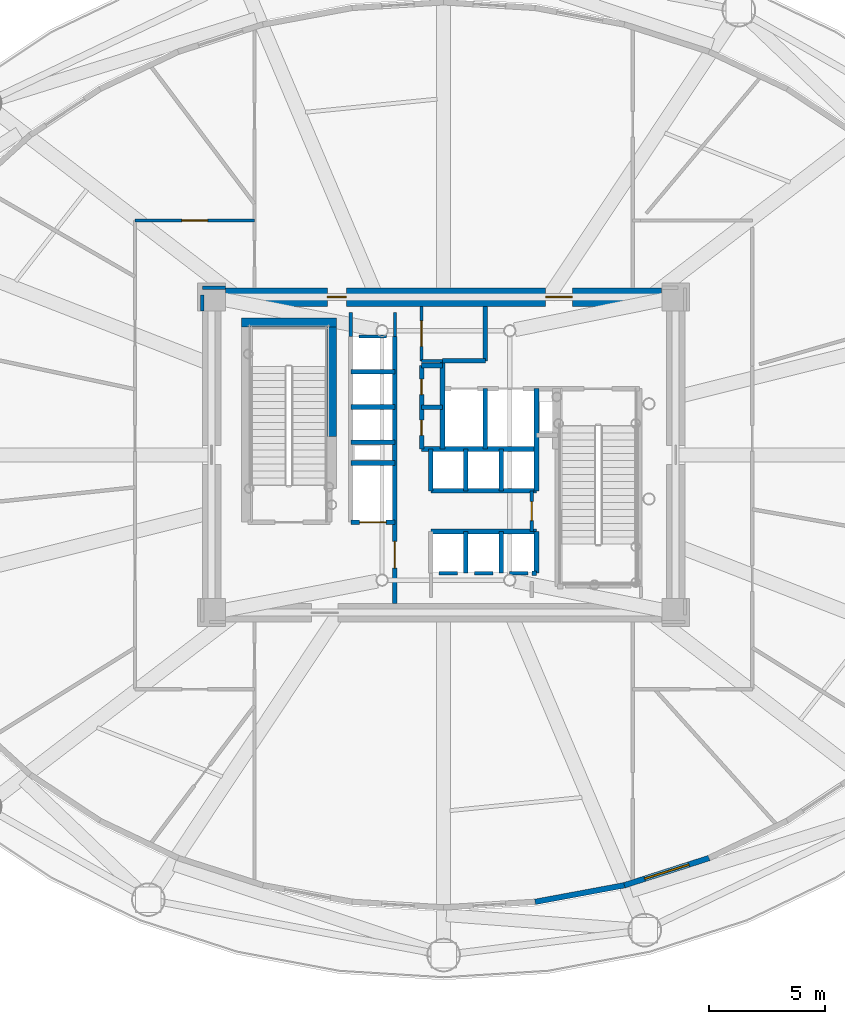
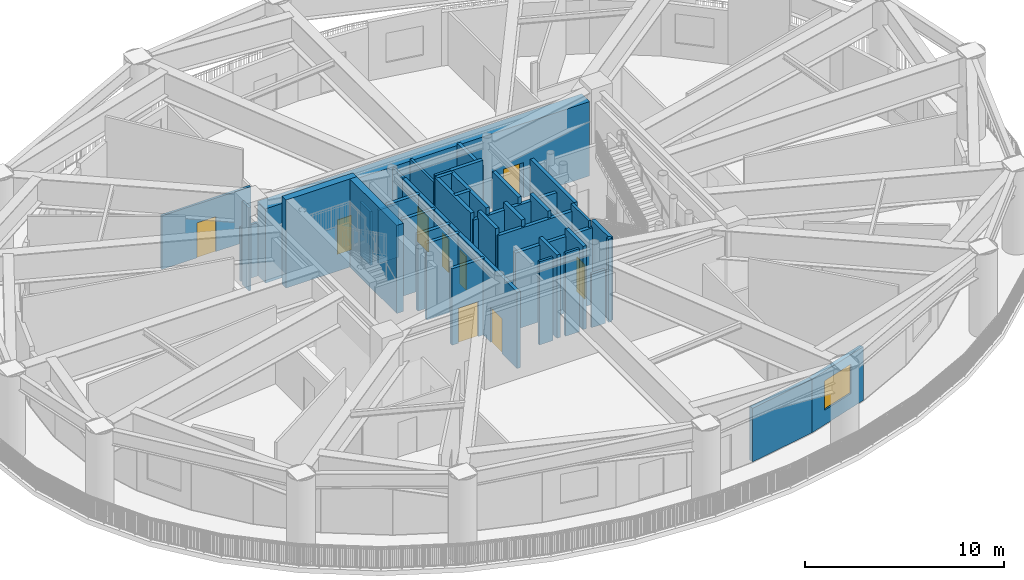
# One storey, part 6 of 15: 41 walls, 9 doors, 1 window, 10 openings.
"""IFC4 building model written with IfcOpenShell, lengths in metres."""

from ifc_helpers import new_model, si_unit, direction, frame, frame_2d, origin, origin_2d, place, context, subcontext, project, spatial, rectangle, extrude, source, transform, mapped, material, layer, layer_set, type_object, element, fill, save


model = new_model("IFC4")

# Units and contexts
model_context = context("Model", 3, precision=1e-05, world=origin(), true_north=direction((0.0, 1.0)))
body_context = subcontext(model_context, "Body", "Model", "MODEL_VIEW")
ifc_project = project(units=[si_unit("LENGTHUNIT", "METRE"), si_unit("AREAUNIT", "SQUARE_METRE"), si_unit("VOLUMEUNIT", "CUBIC_METRE"), si_unit("PLANEANGLEUNIT", "RADIAN"), si_unit("MASSUNIT", "GRAM", prefix="KILO")], contexts=[model_context])

# Site, building, storey
site_placement = place(None, origin())
site = spatial("IfcSite", under=ifc_project, at=site_placement, CompositionType="ELEMENT")
building_placement = place(site_placement, origin())
building = spatial("IfcBuilding", under=site, at=building_placement, Name="Linh Dai School and Residence Tower", CompositionType="ELEMENT")
storey_placement = place(building_placement, frame((0.0, 0.0, 145.949951171875)))
storey = spatial("IfcBuildingStorey", under=building, at=storey_placement, Name="L35", CompositionType="ELEMENT", Elevation=145.949951171875)

# Wall
ifc_material_1 = material(Name="Precast Concrete B45 (C35/45)", Category="concrete")
ifc_layer_1 = layer(ifc_material_1, 0.239990234375)
ifc_layer_set_1 = layer_set([ifc_layer_1], Name="Precast Concrete B45 (C35/45)")
wall_type_1 = type_object("IfcWallType", Name="EW-TC-240", PredefinedType="SOLIDWALL", material=ifc_layer_set_1)
wall_1_placement = place(storey_placement, frame((43.78759765625, 8.451904296875, 0.0), z_axis=(0.0, 0.0, 1.0), x_axis=(-0.983096880392, -0.183086110241, 0.0)))
element("IfcWall", 1, at=wall_1_placement, inside=storey, type_object=wall_type_1, Name="L35 Terracotta Exterior Wall 32", PredefinedType="SOLIDWALL", context=body_context, shape_type="SweptSolid", body=[
    extrude(rectangle(XDim=3.9111328125, YDim=0.239990234375, at=frame_2d((1.95556640625, 0.0))), origin(), (0.0, 0.0, 1.0), 3.28515625),
])

# Wall, opening, window
wall_2_placement = place(storey_placement, frame((47.43994140625, 9.625732421875, 0.0), z_axis=(0.0, 0.0, 1.0), x_axis=(-0.95203915495, -0.305976220388, 0.0)))
wall_2 = element("IfcWall", 2, at=wall_2_placement, inside=storey, type_object=wall_type_1, Name="L35 Terracotta Exterior Wall 33", PredefinedType="SOLIDWALL", context=body_context, shape_type="SweptSolid", body=[
    extrude(rectangle(XDim=3.83642578125, YDim=0.239990234375, at=frame_2d((1.918212890625, 0.0))), origin(), (0.0, 0.0, 1.0), 3.28515625),
])
opening_1_placement = place(wall_2_placement, frame((0.918212890625, 0.0, 0.89990234375)))
opening_1 = element("IfcOpeningElement", 3, at=opening_1_placement, cuts=wall_2, Name="Opening W5", PredefinedType="OPENING", context=body_context, shape_type="SweptSolid", body=[
    extrude(rectangle(XDim=2.0, YDim=1.800048828125, at=origin_2d()), frame((1.0, 0.1298828125, 0.89990234375), z_axis=(0.0, -1.0, 0.0), x_axis=(1.0, 0.0, 0.0)), (0.0, 0.0, 1.0), 0.260009765625),
])
ifc_material_2 = material(Name="Anodised Aluminium Weather Louvre", Category="aluminium")
window_type = type_object("IfcWindowType", Name="WN-LV-2000x1800", PartitioningType="SINGLE_PANEL", PredefinedType="USERDEFINED", material=ifc_material_2)
shared_shape_1 = source(origin(), body_context, "Body", "SweptSolid", [
    extrude(rectangle(XDim=2.0, YDim=1.800048828125, at=origin_2d()), frame((1.0, 0.030029296875, 0.89990234375), z_axis=(0.0, -1.0, 0.0), x_axis=(1.0, 0.0, 0.0)), (0.0, 0.0, 1.0), 0.06005859375),
])
window_placement = place(opening_1_placement, origin())
window = element("IfcWindow", 4, at=window_placement, inside=storey, type_object=window_type, Name="L35 Plant Weather Louvre 33", ObjectType="LOUVRE VENT", OverallHeight=1.800048828125, OverallWidth=2.0, PartitioningType="SINGLE_PANEL", PredefinedType="USERDEFINED", context=body_context, shape_type="MappedRepresentation", body=[
    mapped(shared_shape_1, transform((0.0, 0.0, 0.0), x_axis=(1.0, 0.0, 0.0), y_axis=(0.0, 1.0, 0.0), z_axis=(0.0, 0.0, 1.0), scale=1.0)),
])
fill(opening_1, window)

# Wall, opening, door
ifc_material_3 = material(Name="Autoclaved Aerated Concrete Blockwork", Category="masonry")
ifc_layer_2 = layer(ifc_material_3, 0.135009765625)
ifc_layer_set_2 = layer_set([ifc_layer_2], Name="Autoclaved Aerated Concrete Blockwork")
wall_type_2 = type_object("IfcWallType", Name="IW-CORR-135-EI90", PredefinedType="PARTITIONING", material=ifc_layer_set_2)
wall_3_placement = place(storey_placement, frame((22.699951171875, 37.10009765625, 0.0), z_axis=(0.0, 0.0, 1.0), x_axis=(1.0, 0.0, 0.0)))
wall_3 = element("IfcWall", 5, at=wall_3_placement, inside=storey, type_object=wall_type_2, Name="L35 Interior Partition Wall 007", PredefinedType="PARTITIONING", context=body_context, shape_type="SweptSolid", body=[
    extrude(rectangle(XDim=5.150146484375, YDim=0.135009765625, at=frame_2d((2.5751953125, 0.0))), origin(), (0.0, 0.0, 1.0), 3.28515625),
])
opening_2_placement = place(wall_3_placement, frame((2.02490234375, 0.0, 0.0)))
opening_2 = element("IfcOpeningElement", 6, at=opening_2_placement, cuts=wall_3, Name="Opening D07", PredefinedType="OPENING", context=body_context, shape_type="SweptSolid", body=[
    extrude(rectangle(XDim=1.10009765625, YDim=2.14990234375, at=origin_2d()), frame((0.550048828125, 0.07763671875, 1.074951171875), z_axis=(0.0, -1.0, 0.0), x_axis=(1.0, 0.0, 0.0)), (0.0, 0.0, 1.0), 0.155029296875),
])
ifc_material_4 = material(Name="Fire-Rated Louvred Steel Plant Door", Category="steel")
door_type_1 = type_object("IfcDoorType", Name="DR-PLT-1100x2150-FD60S", OperationType="NOTDEFINED", PredefinedType="DOOR", material=ifc_material_4)
shared_shape_2 = source(origin(), body_context, "Body", "SweptSolid", [
    extrude(rectangle(XDim=1.10009765625, YDim=2.14990234375, at=origin_2d()), frame((0.550048828125, 0.02490234375, 1.074951171875), z_axis=(0.0, -1.0, 0.0), x_axis=(1.0, 0.0, 0.0)), (0.0, 0.0, 1.0), 0.050048828125),
])
door_1_placement = place(opening_2_placement, origin())
door_1 = element("IfcDoor", 7, at=door_1_placement, inside=storey, type_object=door_type_1, Name="L35 Zone LV Switchboard Plant Room Door", OperationType="SINGLE_SWING_LEFT", OverallHeight=2.14990234375, OverallWidth=1.10009765625, PredefinedType="DOOR", context=body_context, shape_type="MappedRepresentation", body=[
    mapped(shared_shape_2, transform((0.0, 0.0, 0.0), x_axis=(1.0, 0.0, 0.0), y_axis=(0.0, 1.0, 0.0), z_axis=(0.0, 0.0, 1.0), scale=1.0)),
])
fill(opening_2, door_1)

wall_4_placement = place(storey_placement, frame((35.050048828125, 31.050048828125, 0.0), z_axis=(0.0, 0.0, 1.0), x_axis=(0.0, 1.0, 0.0)))
wall_4 = element("IfcWall", 8, at=wall_4_placement, inside=storey, type_object=wall_type_2, Name="L35 Interior Partition Wall 025", PredefinedType="PARTITIONING", context=body_context, shape_type="SweptSolid", body=[
    extrude(rectangle(XDim=2.349853515625, YDim=0.135009765625, at=frame_2d((1.1748046875, 0.0))), origin(), (0.0, 0.0, 1.0), 4.68505859375),
])
opening_3_placement = place(wall_4_placement, frame((0.625, 0.0, 0.0)))
opening_3 = element("IfcOpeningElement", 9, at=opening_3_placement, cuts=wall_4, Name="Opening D07", PredefinedType="OPENING", context=body_context, shape_type="SweptSolid", body=[
    extrude(rectangle(XDim=1.10009765625, YDim=2.14990234375, at=origin_2d()), frame((0.550048828125, 0.07763671875, 1.074951171875), z_axis=(0.0, -1.0, 0.0), x_axis=(1.0, 0.0, 0.0)), (0.0, 0.0, 1.0), 0.155029296875),
])
door_2_placement = place(opening_3_placement, origin())
door_2 = element("IfcDoor", 10, at=door_2_placement, inside=storey, type_object=door_type_1, Name="L35 North BMS Switchroom Door", OperationType="SINGLE_SWING_LEFT", OverallHeight=2.14990234375, OverallWidth=1.10009765625, PredefinedType="DOOR", context=body_context, shape_type="MappedRepresentation", body=[
    mapped(shared_shape_2, transform((0.0, 0.0, 0.0), x_axis=(1.0, 0.0, 0.0), y_axis=(0.0, 1.0, 0.0), z_axis=(0.0, 0.0, 1.0), scale=1.0)),
])
fill(opening_3, door_2)

# Wall
wall_5_placement = place(storey_placement, frame((35.050048828125, 31.050048828125, 0.0), z_axis=(0.0, 0.0, 1.0), x_axis=(1.0, 0.0, 0.0)))
element("IfcWall", 11, at=wall_5_placement, inside=storey, type_object=wall_type_2, Name="L35 Interior Partition Wall 026", PredefinedType="PARTITIONING", context=body_context, shape_type="SweptSolid", body=[
    extrude(rectangle(XDim=0.89990234375, YDim=0.135009765625, at=frame_2d((0.449951171875, 0.0))), origin(), (0.0, 0.0, 1.0), 5.10009765625),
])

# Wall, opening, door
wall_6_placement = place(storey_placement, frame((39.800048828125, 23.699951171875, 0.0), z_axis=(0.0, 0.0, 1.0), x_axis=(0.0, 1.0, 0.0)))
wall_6 = element("IfcWall", 12, at=wall_6_placement, inside=storey, type_object=wall_type_2, Name="L35 Interior Partition Wall 041", PredefinedType="PARTITIONING", context=body_context, shape_type="SweptSolid", body=[
    extrude(rectangle(XDim=1.75, YDim=0.135009765625, at=frame_2d((0.875, 0.0))), origin(), (0.0, 0.0, 1.0), 5.10009765625),
])
opening_4_placement = place(wall_6_placement, frame((0.465087890625, 0.0, 0.0)))
opening_4 = element("IfcOpeningElement", 13, at=opening_4_placement, cuts=wall_6, Name="Opening D06", PredefinedType="OPENING", context=body_context, shape_type="SweptSolid", body=[
    extrude(rectangle(XDim=0.820068359375, YDim=2.10009765625, at=origin_2d()), frame((0.41015625, 0.07763671875, 1.050048828125), z_axis=(0.0, -1.0, 0.0), x_axis=(1.0, 0.0, 0.0)), (0.0, 0.0, 1.0), 0.155029296875),
])
ifc_material_5 = material(Name="Moisture-Resistant Timber Bathroom Door", Category="wood")
door_type_2 = type_object("IfcDoorType", Name="DR-WET-820x2100", OperationType="NOTDEFINED", PredefinedType="DOOR", material=ifc_material_5)
shared_shape_3 = source(origin(), body_context, "Body", "SweptSolid", [
    extrude(rectangle(XDim=0.820068359375, YDim=2.10009765625, at=origin_2d()), frame((0.41015625, 0.02490234375, 1.050048828125), z_axis=(0.0, -1.0, 0.0), x_axis=(1.0, 0.0, 0.0)), (0.0, 0.0, 1.0), 0.050048828125),
])
door_3_placement = place(opening_4_placement, origin())
door_3 = element("IfcDoor", 14, at=door_3_placement, inside=storey, type_object=door_type_2, Name="L35 East Linen Store Door", OperationType="SINGLE_SWING_RIGHT", OverallHeight=2.10009765625, OverallWidth=0.820068359375, PredefinedType="DOOR", context=body_context, shape_type="MappedRepresentation", body=[
    mapped(shared_shape_3, transform((0.0, 0.0, 0.0), x_axis=(1.0, 0.0, 0.0), y_axis=(0.0, 1.0, 0.0), z_axis=(0.0, 0.0, 1.0), scale=1.0)),
])
fill(opening_4, door_3)

# Walls
wall_7_placement = place(storey_placement, frame((36.60009765625, 21.89990234375, 0.0), z_axis=(0.0, 0.0, 1.0), x_axis=(-1.0, 0.0, 0.0)))
element("IfcWall", 15, at=wall_7_placement, inside=storey, type_object=wall_type_2, Name="L35 Interior Partition Wall 057", PredefinedType="PARTITIONING", context=body_context, shape_type="SweptSolid", body=[
    extrude(rectangle(XDim=0.7900390625, YDim=0.135009765625, at=frame_2d((0.39501953125, 0.0))), origin(), (0.0, 0.0, 1.0), 5.10009765625),
])
wall_8_placement = place(storey_placement, frame((38.1201171875, 21.89990234375, 0.0), z_axis=(0.0, 0.0, 1.0), x_axis=(-1.0, 0.0, 0.0)))
element("IfcWall", 16, at=wall_8_placement, inside=storey, type_object=wall_type_2, Name="L35 Interior Partition Wall 058", PredefinedType="PARTITIONING", context=body_context, shape_type="SweptSolid", body=[
    extrude(rectangle(XDim=0.800048828125, YDim=0.135009765625, at=frame_2d((0.39990234375, 0.0))), origin(), (0.0, 0.0, 1.0), 5.10009765625),
])
wall_9_placement = place(storey_placement, frame((39.639892578125, 21.89990234375, 0.0), z_axis=(0.0, 0.0, 1.0), x_axis=(-1.0, 0.0, 0.0)))
element("IfcWall", 17, at=wall_9_placement, inside=storey, type_object=wall_type_2, Name="L35 Interior Partition Wall 059", PredefinedType="PARTITIONING", context=body_context, shape_type="SweptSolid", body=[
    extrude(rectangle(XDim=0.7998046875, YDim=0.135009765625, at=frame_2d((0.39990234375, 0.0))), origin(), (0.0, 0.0, 1.0), 3.28515625),
])
wall_10_placement = place(storey_placement, frame((32.360107421875, 32.10009765625, 0.0), z_axis=(0.0, 0.0, 1.0), x_axis=(1.0, 0.0, 0.0)))
element("IfcWall", 18, at=wall_10_placement, inside=storey, type_object=wall_type_2, Name="L35 Interior Partition Wall 060", PredefinedType="PARTITIONING", context=body_context, shape_type="SweptSolid", body=[
    extrude(rectangle(XDim=1.179931640625, YDim=0.135009765625, at=frame_2d((0.58984375, 0.0))), origin(), (0.0, 0.0, 1.0), 3.28515625),
])
wall_11_placement = place(storey_placement, frame((32.0, 33.139892578125, 0.0), z_axis=(0.0, 0.0, 1.0), x_axis=(0.0, -1.0, 0.0)))
element("IfcWall", 19, at=wall_11_placement, inside=storey, type_object=wall_type_2, Name="L35 Interior Partition Wall 062", PredefinedType="PARTITIONING", context=body_context, shape_type="SweptSolid", body=[
    extrude(rectangle(XDim=1.02978515625, YDim=0.135009765625, at=frame_2d((0.514892578125, 0.0))), origin(), (0.0, 0.0, 1.0), 3.28515625),
])
wall_12_placement = place(storey_placement, frame((33.89990234375, 32.110107421875, 0.0), z_axis=(0.0, 0.0, 1.0), x_axis=(0.0, 1.0, 0.0)))
element("IfcWall", 20, at=wall_12_placement, inside=storey, type_object=wall_type_2, Name="L35 Interior Partition Wall 065", PredefinedType="PARTITIONING", context=body_context, shape_type="SweptSolid", body=[
    extrude(rectangle(XDim=1.02978515625, YDim=0.135009765625, at=frame_2d((0.514892578125, 0.0))), origin(), (0.0, 0.0, 1.0), 4.68505859375),
])
wall_13_placement = place(storey_placement, frame((26.590087890625, 34.199951171875, 0.0), z_axis=(0.0, 0.0, 1.0), x_axis=(-1.0, 0.0, 0.0)))
element("IfcWall", 21, at=wall_13_placement, inside=storey, type_object=wall_type_2, Name="L35 Interior Partition Wall 066", PredefinedType="PARTITIONING", context=body_context, shape_type="SweptSolid", body=[
    extrude(rectangle(XDim=0.989990234375, YDim=0.135009765625, at=frame_2d((0.4951171875, 0.0))), origin(), (0.0, 0.0, 1.0), 3.28515625),
])
wall_14_placement = place(storey_placement, frame((25.60009765625, 33.892578125, 0.0), z_axis=(0.0, 0.0, 1.0), x_axis=(0.0, -1.0, 0.0)))
element("IfcWall", 22, at=wall_14_placement, inside=storey, type_object=wall_type_2, Name="L35 Interior Partition Wall 067", PredefinedType="PARTITIONING", context=body_context, shape_type="SweptSolid", body=[
    extrude(rectangle(XDim=0.6826171875, YDim=0.135009765625, at=frame_2d((0.34130859375, 0.0))), origin(), (0.0, 0.0, 1.0), 5.10009765625),
])

# Wall, opening, door
ifc_material_6 = material(Name="Concrete B45 (C35/45)", Category="concrete")
ifc_layer_3 = layer(ifc_material_6, 0.199951171875)
ifc_layer_set_3 = layer_set([ifc_layer_3], Name="Concrete B45 (C35/45)")
wall_type_3 = type_object("IfcWallType", Name="IW-SHAFT-200-EI120", PredefinedType="PARTITIONING", material=ifc_layer_set_3)
wall_15_placement = place(storey_placement, frame((32.0, 24.10009765625, 0.0), z_axis=(0.0, 0.0, 1.0), x_axis=(1.0, 0.0, 0.0)))
wall_15 = element("IfcWall", 23, at=wall_15_placement, inside=storey, type_object=wall_type_3, Name="L35 Interior Partition Wall 015", PredefinedType="PARTITIONING", context=body_context, shape_type="SweptSolid", body=[
    extrude(rectangle(XDim=1.89990234375, YDim=0.199951171875, at=frame_2d((0.949951171875, 0.0))), origin(), (0.0, 0.0, 1.0), 4.68505859375),
])
opening_5_placement = place(wall_15_placement, frame((0.375, 0.0, 0.0)))
opening_5 = element("IfcOpeningElement", 24, at=opening_5_placement, cuts=wall_15, Name="Opening LD-FF2", PredefinedType="OPENING", context=body_context, shape_type="SweptSolid", body=[
    extrude(rectangle(XDim=1.14990234375, YDim=2.14990234375, at=origin_2d()), frame((0.574951171875, 0.10986328125, 1.074951171875), z_axis=(0.0, -1.0, 0.0), x_axis=(1.0, 0.0, 0.0)), (0.0, 0.0, 1.0), 0.219970703125),
])
ifc_material_7 = material(Name="Fire-Rated Stainless Steel Firefighting Lift Door", Category="steel")
door_type_3 = type_object("IfcDoorType", Name="DR-LD-FF-1150x2150-FD120", OperationType="DOUBLE_DOOR_SLIDING", PredefinedType="USERDEFINED", material=ifc_material_7)
shared_shape_4 = source(origin(), body_context, "Body", "SweptSolid", [
    extrude(rectangle(XDim=1.14990234375, YDim=2.14990234375, at=origin_2d()), frame((0.574951171875, 0.02490234375, 1.074951171875), z_axis=(0.0, -1.0, 0.0), x_axis=(1.0, 0.0, 0.0)), (0.0, 0.0, 1.0), 0.050048828125),
])
door_4_placement = place(opening_5_placement, origin())
door_4 = element("IfcDoor", 25, at=door_4_placement, inside=storey, type_object=door_type_3, Name="L35 Lift FF2 Sliding Landing Door", ObjectType="LANDING DOOR", OperationType="DOUBLE_DOOR_SLIDING", OverallHeight=2.14990234375, OverallWidth=1.14990234375, PredefinedType="USERDEFINED", context=body_context, shape_type="MappedRepresentation", body=[
    mapped(shared_shape_4, transform((0.0, 0.0, 0.0), x_axis=(1.0, 0.0, 0.0), y_axis=(0.0, 1.0, 0.0), z_axis=(0.0, 0.0, 1.0), scale=1.0)),
])
fill(opening_5, door_4)

# Walls
for number, where, z_axis, x_axis, name in (
    (26, (32.0, 26.64990234375, 0.0), (0.0, 0.0, 1.0), (1.0, 0.0, 0.0), "L35 Interior Partition Wall 016"),
    (27, (32.0, 27.550048828125, 0.0), (0.0, 0.0, 1.0), (1.0, 0.0, 0.0), "L35 Interior Partition Wall 017"),
    (28, (32.0, 29.06005859375, 0.0), (0.0, 0.0, 1.0), (1.0, 0.0, 0.0), "L35 Interior Partition Wall 018"),
    (29, (32.0, 30.580078125, 0.0), (0.0, 0.0, 1.0), (1.0, 0.0, 0.0), "L35 Interior Partition Wall 019"),
):
    element("IfcWall", number, at=place(storey_placement, frame(where, z_axis=z_axis, x_axis=x_axis)), inside=storey, type_object=wall_type_3, Name=name, PredefinedType="PARTITIONING", context=body_context, shape_type="SweptSolid", body=[
        extrude(rectangle(XDim=1.89990234375, YDim=0.199951171875, at=frame_2d((0.949951171875, 0.0))), origin(), (0.0, 0.0, 1.0), 4.68505859375),
    ])

# Wall, opening, door
wall_16_placement = place(storey_placement, frame((33.89990234375, 20.60009765625, 0.0), z_axis=(0.0, 0.0, 1.0), x_axis=(0.0, 1.0, 0.0)))
wall_16 = element("IfcWall", 30, at=wall_16_placement, inside=storey, type_object=wall_type_3, Name="L35 Interior Partition Wall 020", PredefinedType="PARTITIONING", context=body_context, shape_type="SweptSolid", body=[
    extrude(rectangle(XDim=11.5, YDim=0.199951171875, at=frame_2d((5.75, 0.0))), origin(), (0.0, 0.0, 1.0), 4.68505859375),
])
opening_6_placement = place(wall_16_placement, frame((1.517578125, 0.0, 0.0)))
opening_6 = element("IfcOpeningElement", 31, at=opening_6_placement, cuts=wall_16, Name="Opening D02", PredefinedType="OPENING", context=body_context, shape_type="SweptSolid", body=[
    extrude(rectangle(XDim=1.14990234375, YDim=2.14990234375, at=origin_2d()), frame((0.574951171875, 0.10986328125, 1.074951171875), z_axis=(0.0, -1.0, 0.0), x_axis=(1.0, 0.0, 0.0)), (0.0, 0.0, 1.0), 0.219970703125),
])
ifc_material_8 = material(Name="Fire-Rated Glazed Steel Lobby Door", Category="steel")
door_type_4 = type_object("IfcDoorType", Name="DR-LOBBY-1150x2150-FD90S", OperationType="NOTDEFINED", PredefinedType="DOOR", material=ifc_material_8)
shared_shape_5 = source(origin(), body_context, "Body", "SweptSolid", [
    extrude(rectangle(XDim=1.14990234375, YDim=2.14990234375, at=origin_2d()), frame((0.574951171875, 0.02490234375, 1.074951171875), z_axis=(0.0, -1.0, 0.0), x_axis=(1.0, 0.0, 0.0)), (0.0, 0.0, 1.0), 0.050048828125),
])
door_5_placement = place(opening_6_placement, origin())
door_5 = element("IfcDoor", 32, at=door_5_placement, inside=storey, type_object=door_type_4, Name="L35 Passenger Foyer Access Door", OperationType="SINGLE_SWING_RIGHT", OverallHeight=2.14990234375, OverallWidth=1.14990234375, PredefinedType="DOOR", context=body_context, shape_type="MappedRepresentation", body=[
    mapped(shared_shape_5, transform((0.0, 0.0, 0.0), x_axis=(1.0, 0.0, 0.0), y_axis=(0.0, 1.0, 0.0), z_axis=(0.0, 0.0, 1.0), scale=1.0)),
])
fill(opening_6, door_5)

# Wall, openings, doors
wall_17_placement = place(storey_placement, frame((35.050048828125, 27.25, 0.0), z_axis=(0.0, 0.0, 1.0), x_axis=(0.0, 1.0, 0.0)))
wall_17 = element("IfcWall", 33, at=wall_17_placement, inside=storey, type_object=wall_type_3, Name="L35 Interior Partition Wall 021", PredefinedType="PARTITIONING", context=body_context, shape_type="SweptSolid", body=[
    extrude(rectangle(XDim=3.60009765625, YDim=0.199951171875, at=frame_2d((1.800048828125, 0.0))), origin(), (0.0, 0.0, 1.0), 5.10009765625),
])
opening_7_placement = place(wall_17_placement, frame((0.590087890625, 0.0, 0.0)))
opening_7 = element("IfcOpeningElement", 34, at=opening_7_placement, cuts=wall_17, Name="Opening AD1", PredefinedType="OPENING", context=body_context, shape_type="SweptSolid", body=[
    extrude(rectangle(XDim=0.659912109375, YDim=2.050048828125, at=origin_2d()), frame((0.330078125, 0.10986328125, 1.02490234375), z_axis=(0.0, -1.0, 0.0), x_axis=(1.0, 0.0, 0.0)), (0.0, 0.0, 1.0), 0.219970703125),
])
opening_8_placement = place(wall_17_placement, frame((2.35009765625, 0.0, 0.0)))
opening_8 = element("IfcOpeningElement", 35, at=opening_8_placement, cuts=wall_17, Name="Opening AD1", PredefinedType="OPENING", context=body_context, shape_type="SweptSolid", body=[
    extrude(rectangle(XDim=0.659912109375, YDim=2.050048828125, at=origin_2d()), frame((0.330078125, 0.10986328125, 1.02490234375), z_axis=(0.0, -1.0, 0.0), x_axis=(1.0, 0.0, 0.0)), (0.0, 0.0, 1.0), 0.219970703125),
])
ifc_material_9 = material(Name="Fire-Rated Steel Riser Access Door", Category="steel")
door_type_5 = type_object("IfcDoorType", Name="DR-ACC-660x2050-FD90S", OperationType="NOTDEFINED", PredefinedType="USERDEFINED", material=ifc_material_9)
shared_shape_6 = source(origin(), body_context, "Body", "SweptSolid", [
    extrude(rectangle(XDim=0.659912109375, YDim=2.050048828125, at=origin_2d()), frame((0.330078125, 0.02490234375, 1.02490234375), z_axis=(0.0, -1.0, 0.0), x_axis=(1.0, 0.0, 0.0)), (0.0, 0.0, 1.0), 0.050048828125),
])
door_6_placement = place(opening_7_placement, origin())
door_6 = element("IfcDoor", 36, at=door_6_placement, inside=storey, type_object=door_type_5, Name="L35 Telecom and Data Riser Access Door", ObjectType="ACCESS DOOR", OperationType="SINGLE_SWING_LEFT", OverallHeight=2.050048828125, OverallWidth=0.659912109375, PredefinedType="USERDEFINED", context=body_context, shape_type="MappedRepresentation", body=[
    mapped(shared_shape_6, transform((0.0, 0.0, 0.0), x_axis=(1.0, 0.0, 0.0), y_axis=(0.0, 1.0, 0.0), z_axis=(0.0, 0.0, 1.0), scale=1.0)),
])
fill(opening_7, door_6)
door_7_placement = place(opening_8_placement, origin())
door_7 = element("IfcDoor", 37, at=door_7_placement, inside=storey, type_object=door_type_5, Name="L35 Mechanical and Plumbing Riser Access Door", ObjectType="ACCESS DOOR", OperationType="SINGLE_SWING_RIGHT", OverallHeight=2.050048828125, OverallWidth=0.659912109375, PredefinedType="USERDEFINED", context=body_context, shape_type="MappedRepresentation", body=[
    mapped(shared_shape_6, transform((0.0, 0.0, 0.0), x_axis=(1.0, 0.0, 0.0), y_axis=(0.0, 1.0, 0.0), z_axis=(0.0, 0.0, 1.0), scale=1.0)),
])
fill(opening_8, door_7)

# Walls
wall_18_placement = place(storey_placement, frame((35.050048828125, 27.25, 0.0), z_axis=(0.0, 0.0, 1.0), x_axis=(1.0, 0.0, 0.0)))
element("IfcWall", 38, at=wall_18_placement, inside=storey, type_object=wall_type_3, Name="L35 Interior Partition Wall 022", PredefinedType="PARTITIONING", context=body_context, shape_type="SweptSolid", body=[
    extrude(rectangle(XDim=4.949951171875, YDim=0.199951171875, at=frame_2d((2.47509765625, 0.0))), origin(), (0.0, 0.0, 1.0), 4.68505859375),
])
for number, where, z_axis, x_axis, name in (
    (39, (35.050048828125, 29.050048828125, 0.0), (0.0, 0.0, 1.0), (1.0, 0.0, 0.0), "L35 Interior Partition Wall 023"),
    (40, (35.050048828125, 30.85009765625, 0.0), (0.0, 0.0, 1.0), (1.0, 0.0, 0.0), "L35 Interior Partition Wall 024"),
):
    element("IfcWall", number, at=place(storey_placement, frame(where, z_axis=z_axis, x_axis=x_axis)), inside=storey, type_object=wall_type_3, Name=name, PredefinedType="PARTITIONING", context=body_context, shape_type="SweptSolid", body=[
        extrude(rectangle(XDim=0.89990234375, YDim=0.199951171875, at=frame_2d((0.449951171875, 0.0))), origin(), (0.0, 0.0, 1.0), 5.10009765625),
    ])
wall_19_placement = place(storey_placement, frame((35.449951171875, 23.699951171875, 0.0), z_axis=(0.0, 0.0, 1.0), x_axis=(1.0, 0.0, 0.0)))
element("IfcWall", 41, at=wall_19_placement, inside=storey, type_object=wall_type_3, Name="L35 Interior Partition Wall 028", PredefinedType="PARTITIONING", context=body_context, shape_type="SweptSolid", body=[
    extrude(rectangle(XDim=4.550048828125, YDim=0.199951171875, at=frame_2d((2.27490234375, 0.0))), origin(), (0.0, 0.0, 1.0), 4.68505859375),
])
wall_20_placement = place(storey_placement, frame((35.449951171875, 25.449951171875, 0.0), z_axis=(0.0, 0.0, 1.0), x_axis=(0.0, 1.0, 0.0)))
element("IfcWall", 42, at=wall_20_placement, inside=storey, type_object=wall_type_3, Name="L35 Interior Partition Wall 029", PredefinedType="PARTITIONING", context=body_context, shape_type="SweptSolid", body=[
    extrude(rectangle(XDim=1.800048828125, YDim=0.199951171875, at=frame_2d((0.89990234375, 0.0))), origin(), (0.0, 0.0, 1.0), 5.10009765625),
])
wall_21_placement = place(storey_placement, frame((35.449951171875, 25.449951171875, 0.0), z_axis=(0.0, 0.0, 1.0), x_axis=(1.0, 0.0, 0.0)))
element("IfcWall", 43, at=wall_21_placement, inside=storey, type_object=wall_type_3, Name="L35 Interior Partition Wall 030", PredefinedType="PARTITIONING", context=body_context, shape_type="SweptSolid", body=[
    extrude(rectangle(XDim=4.550048828125, YDim=0.199951171875, at=frame_2d((2.27490234375, 0.0))), origin(), (0.0, 0.0, 1.0), 4.68505859375),
])
wall_22_placement = place(storey_placement, frame((35.949951171875, 27.25, 0.0), z_axis=(0.0, 0.0, 1.0), x_axis=(0.0, 1.0, 0.0)))
element("IfcWall", 44, at=wall_22_placement, inside=storey, type_object=wall_type_3, Name="L35 Interior Partition Wall 031", PredefinedType="PARTITIONING", context=body_context, shape_type="SweptSolid", body=[
    extrude(rectangle(XDim=3.800048828125, YDim=0.199951171875, at=frame_2d((1.89990234375, 0.0))), origin(), (0.0, 0.0, 1.0), 5.10009765625),
])
wall_23_placement = place(storey_placement, frame((35.9599609375, 31.050048828125, 0.0), z_axis=(0.0, 0.0, 1.0), x_axis=(1.0, 0.0, 0.0)))
element("IfcWall", 45, at=wall_23_placement, inside=storey, type_object=wall_type_3, Name="L35 Interior Partition Wall 033", PredefinedType="PARTITIONING", context=body_context, shape_type="SweptSolid", body=[
    extrude(rectangle(XDim=1.840087890625, YDim=0.199951171875, at=frame_2d((0.919921875, 0.0))), origin(), (0.0, 0.0, 1.0), 5.10009765625),
])
for number, where, z_axis, x_axis, name in (
    (46, (36.9599609375, 21.89990234375, 0.0), (0.0, 0.0, 1.0), (0.0, 1.0, 0.0), "L35 Interior Partition Wall 034"),
    (47, (36.9599609375, 25.449951171875, 0.0), (0.0, 0.0, 1.0), (0.0, 1.0, 0.0), "L35 Interior Partition Wall 035"),
):
    element("IfcWall", number, at=place(storey_placement, frame(where, z_axis=z_axis, x_axis=x_axis)), inside=storey, type_object=wall_type_3, Name=name, PredefinedType="PARTITIONING", context=body_context, shape_type="SweptSolid", body=[
        extrude(rectangle(XDim=1.800048828125, YDim=0.199951171875, at=frame_2d((0.89990234375, 0.0))), origin(), (0.0, 0.0, 1.0), 5.10009765625),
    ])
wall_24_placement = place(storey_placement, frame((37.800048828125, 27.25, 0.0), z_axis=(0.0, 0.0, 1.0), x_axis=(0.0, 1.0, 0.0)))
element("IfcWall", 48, at=wall_24_placement, inside=storey, type_object=wall_type_3, Name="L35 Interior Partition Wall 036", PredefinedType="PARTITIONING", context=body_context, shape_type="SweptSolid", body=[
    extrude(rectangle(XDim=2.60009765625, YDim=0.199951171875, at=frame_2d((1.300048828125, 0.0))), origin(), (0.0, 0.0, 1.0), 5.10009765625),
])
wall_25_placement = place(storey_placement, frame((37.800048828125, 31.050048828125, 0.0), z_axis=(0.0, 0.0, 1.0), x_axis=(0.0, 1.0, 0.0)))
element("IfcWall", 49, at=wall_25_placement, inside=storey, type_object=wall_type_3, Name="L35 Interior Partition Wall 037", PredefinedType="PARTITIONING", context=body_context, shape_type="SweptSolid", body=[
    extrude(rectangle(XDim=2.349853515625, YDim=0.199951171875, at=frame_2d((1.1748046875, 0.0))), origin(), (0.0, 0.0, 1.0), 4.68505859375),
])
for number, where, z_axis, x_axis, name in (
    (50, (38.47998046875, 21.89990234375, 0.0), (0.0, 0.0, 1.0), (0.0, 1.0, 0.0), "L35 Interior Partition Wall 038"),
    (51, (38.47998046875, 25.449951171875, 0.0), (0.0, 0.0, 1.0), (0.0, 1.0, 0.0), "L35 Interior Partition Wall 039"),
):
    element("IfcWall", number, at=place(storey_placement, frame(where, z_axis=z_axis, x_axis=x_axis)), inside=storey, type_object=wall_type_3, Name=name, PredefinedType="PARTITIONING", context=body_context, shape_type="SweptSolid", body=[
        extrude(rectangle(XDim=1.800048828125, YDim=0.199951171875, at=frame_2d((0.89990234375, 0.0))), origin(), (0.0, 0.0, 1.0), 5.10009765625),
    ])
wall_26_placement = place(storey_placement, frame((39.800048828125, 21.89990234375, 0.0), z_axis=(0.0, 0.0, 1.0), x_axis=(1.0, 0.0, 0.0)))
element("IfcWall", 52, at=wall_26_placement, inside=storey, type_object=wall_type_3, Name="L35 Interior Partition Wall 040", PredefinedType="PARTITIONING", context=body_context, shape_type="SweptSolid", body=[
    extrude(rectangle(XDim=0.199951171875, YDim=0.199951171875, at=frame_2d((0.10009765625, 0.0))), origin(), (0.0, 0.0, 1.0), 5.10009765625),
])
wall_27_placement = place(storey_placement, frame((40.0, 21.89990234375, 0.0), z_axis=(0.0, 0.0, 1.0), x_axis=(0.0, 1.0, 0.0)))
element("IfcWall", 53, at=wall_27_placement, inside=storey, type_object=wall_type_3, Name="L35 Interior Partition Wall 042", PredefinedType="PARTITIONING", context=body_context, shape_type="SweptSolid", body=[
    extrude(rectangle(XDim=1.800048828125, YDim=0.199951171875, at=frame_2d((0.89990234375, 0.0))), origin(), (0.0, 0.0, 1.0), 5.10009765625),
])
wall_28_placement = place(storey_placement, frame((40.0, 25.449951171875, 0.0), z_axis=(0.0, 0.0, 1.0), x_axis=(0.0, 1.0, 0.0)))
element("IfcWall", 54, at=wall_28_placement, inside=storey, type_object=wall_type_3, Name="L35 Interior Partition Wall 043", PredefinedType="PARTITIONING", context=body_context, shape_type="SweptSolid", body=[
    extrude(rectangle(XDim=4.400146484375, YDim=0.199951171875, at=frame_2d((2.2001953125, 0.0))), origin(), (0.0, 0.0, 1.0), 5.10009765625),
])
ifc_layer_4 = layer(ifc_material_6, 0.39990234375)
ifc_layer_set_4 = layer_set([ifc_layer_4], Name="Concrete B45 (C35/45)")
wall_type_4 = type_object("IfcWallType", Name="WL-CORE400", PredefinedType="SHEAR", material=ifc_layer_set_4)
wall_29_placement = place(storey_placement, frame((31.179931640625, 27.800048828125, 0.0), z_axis=(0.0, 0.0, 1.0), x_axis=(0.0, 1.0, 0.0)))
element("IfcWall", 55, at=wall_29_placement, inside=storey, type_object=wall_type_4, Name="L35 Core Stair ST1 Bearing Wall E", PredefinedType="SHEAR", context=body_context, shape_type="SweptSolid", body=[
    extrude(rectangle(XDim=4.89990234375, YDim=0.39990234375, at=frame_2d((2.449951171875, 0.0))), origin(), (0.0, 0.0, 1.0), 5.400146484375),
])
wall_30_placement = place(storey_placement, frame((27.280029296875, 32.699951171875, 0.0), z_axis=(0.0, 0.0, 1.0), x_axis=(1.0, 0.0, 0.0)))
element("IfcWall", 56, at=wall_30_placement, inside=storey, type_object=wall_type_4, Name="L35 Core Stair ST1 Bearing Wall N", PredefinedType="SHEAR", context=body_context, shape_type="SweptSolid", body=[
    extrude(rectangle(XDim=4.099853515625, YDim=0.39990234375, at=frame_2d((2.0498046875, 0.0))), origin(), (0.0, 0.0, 1.0), 5.400146484375),
])

# Wall, openings, doors
ifc_material_10 = material(Name="Concrete B60 (C50/60)", Category="concrete")
ifc_layer_5 = layer(ifc_material_10, 0.800048828125)
ifc_layer_set_5 = layer_set([ifc_layer_5], Name="Concrete B60 (C50/60)")
wall_type_5 = type_object("IfcWallType", Name="WL-CORE800", PredefinedType="SHEAR", material=ifc_layer_set_5)
wall_31_placement = place(storey_placement, frame((26.60009765625, 33.800048828125, 0.0), z_axis=(0.0, 0.0, 1.0), x_axis=(1.0, 0.0, 0.0)))
wall_31 = element("IfcWall", 57, at=wall_31_placement, inside=storey, type_object=wall_type_5, Name="L35 Central Core Shear Wall N", PredefinedType="SHEAR", context=body_context, shape_type="SweptSolid", body=[
    extrude(rectangle(XDim=18.7998046875, YDim=0.800048828125, at=frame_2d((9.39990234375, 0.0))), origin(), (0.0, 0.0, 1.0), 4.550048828125),
])
opening_9_placement = place(wall_31_placement, frame((4.389892578125, 0.0, 0.0)))
opening_9 = element("IfcOpeningElement", 58, at=opening_9_placement, cuts=wall_31, Name="Opening D06", PredefinedType="OPENING", context=body_context, shape_type="SweptSolid", body=[
    extrude(rectangle(XDim=0.820068359375, YDim=2.10009765625, at=origin_2d()), frame((0.41015625, 0.41015625, 1.050048828125), z_axis=(0.0, -1.0, 0.0), x_axis=(1.0, 0.0, 0.0)), (0.0, 0.0, 1.0), 0.820068359375),
])
opening_10_placement = place(wall_31_placement, frame((13.800048828125, 0.0, 0.0)))
opening_10 = element("IfcOpeningElement", 59, at=opening_10_placement, cuts=wall_31, Name="Opening D02", PredefinedType="OPENING", context=body_context, shape_type="SweptSolid", body=[
    extrude(rectangle(XDim=1.14990234375, YDim=2.14990234375, at=origin_2d()), frame((0.574951171875, 0.41015625, 1.074951171875), z_axis=(0.0, -1.0, 0.0), x_axis=(1.0, 0.0, 0.0)), (0.0, 0.0, 1.0), 0.820068359375),
])
door_8_placement = place(opening_9_placement, origin())
door_8 = element("IfcDoor", 60, at=door_8_placement, inside=storey, type_object=door_type_2, Name="L35 Refuge Lobby Access Door", OperationType="SINGLE_SWING_LEFT", OverallHeight=2.10009765625, OverallWidth=0.820068359375, PredefinedType="DOOR", context=body_context, shape_type="MappedRepresentation", body=[
    mapped(shared_shape_3, transform((0.0, 0.0, 0.0), x_axis=(1.0, 0.0, 0.0), y_axis=(0.0, 1.0, 0.0), z_axis=(0.0, 0.0, 1.0), scale=1.0)),
])
fill(opening_9, door_8)
door_9_placement = place(opening_10_placement, origin())
door_9 = element("IfcDoor", 61, at=door_9_placement, inside=storey, type_object=door_type_4, Name="L35 Refuge Lobby Access Door", OperationType="SINGLE_SWING_RIGHT", OverallHeight=2.14990234375, OverallWidth=1.14990234375, PredefinedType="DOOR", context=body_context, shape_type="MappedRepresentation", body=[
    mapped(shared_shape_5, transform((0.0, 0.0, 0.0), x_axis=(1.0, 0.0, 0.0), y_axis=(0.0, 1.0, 0.0), z_axis=(0.0, 0.0, 1.0), scale=1.0)),
])
fill(opening_10, door_9)

save(model, "model.ifc")
